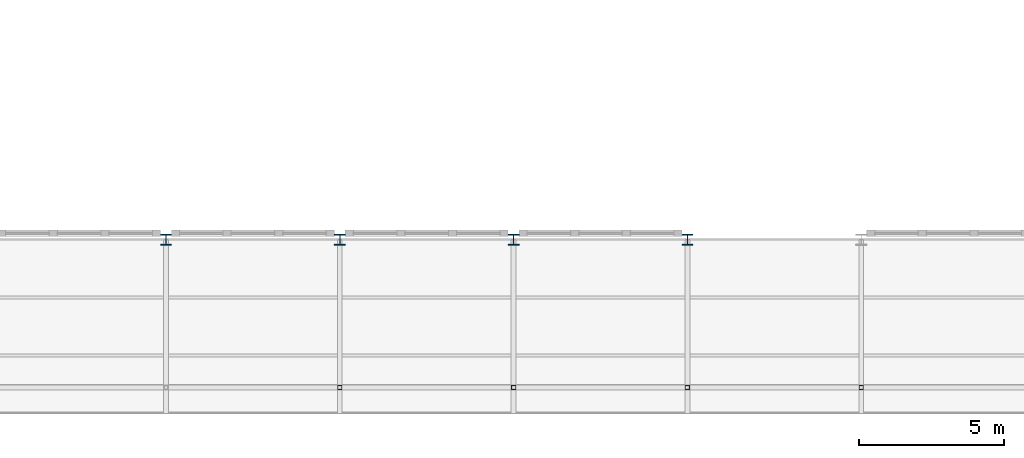
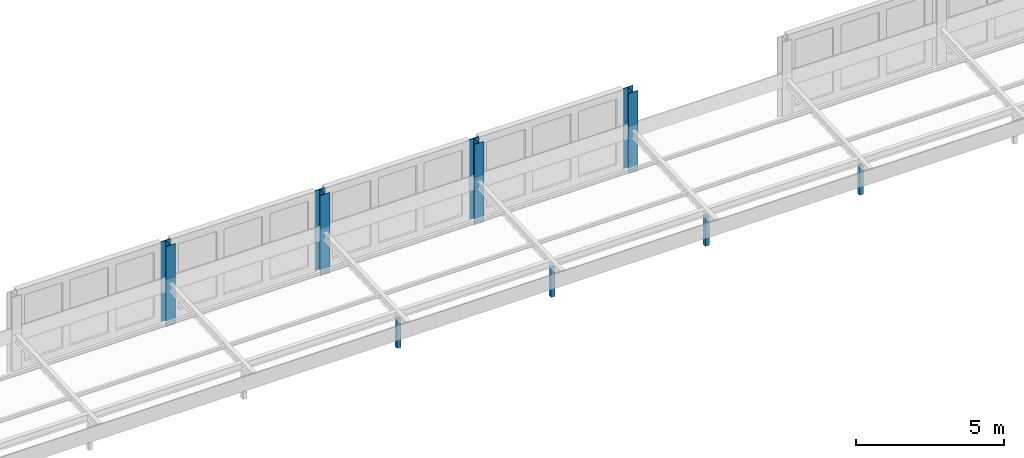
# One storey, part 2 of 214: 8 columns.
"""IFC4 building model written with IfcOpenShell, lengths in metres."""

from ifc_helpers import new_model, si_unit, direction, frame, origin, origin_2d, place, context, subcontext, project, spatial, hollow_rectangle, i_section, extrude, material, material_profile, profile_set, type_object, element, save


model = new_model("IFC4")

# Units and contexts
model_context = context("Model", 3, precision=1e-05, world=origin(), true_north=direction((0.0, 1.0)))
body_context = subcontext(model_context, "Body", "Model", "MODEL_VIEW")
ifc_project = project(units=[si_unit("LENGTHUNIT", "METRE"), si_unit("AREAUNIT", "SQUARE_METRE"), si_unit("VOLUMEUNIT", "CUBIC_METRE"), si_unit("PLANEANGLEUNIT", "RADIAN"), si_unit("MASSUNIT", "GRAM", prefix="KILO")], contexts=[model_context])

# Site, building, storey
site_placement = place(None, origin())
site = spatial("IfcSite", under=ifc_project, at=site_placement, CompositionType="ELEMENT")
building_placement = place(site_placement, origin())
building = spatial("IfcBuilding", under=site, at=building_placement, Name="Parallax Yard Mobility Hub", CompositionType="ELEMENT")
storey_placement = place(building_placement, frame((0.0, 0.0, 3.300048828125)))
storey = spatial("IfcBuildingStorey", under=building, at=storey_placement, Name="L01", CompositionType="ELEMENT", Elevation=3.300048828125)

# Columns
ifc_material_1 = material(Name="Steel ASTM A500 Gr C", Category="steel")
ifc_material_profile_1 = material_profile(ifc_material_1, hollow_rectangle(XDim=0.15234375, YDim=0.15234375, WallThickness=0.009521484375, at=origin_2d()), Name="HSS152x152x9.5")
ifc_profile_set_1 = profile_set([ifc_material_profile_1], Name="Steel ASTM A500 Gr C")
column_type_1 = type_object("IfcColumnType", Name="Roof column HSS152x152x9.5", PredefinedType="COLUMN", material=ifc_profile_set_1)
for number, where, z_axis, x_axis, name in (
    (1, (39.0, 2.39990234375, 0.0), (0.0, 0.0, 1.0), (1.0, 0.0, 0.0), "Arcade column V1 6 level L01"),
    (2, (45.0, 2.39990234375, 0.0), (0.0, 0.0, 1.0), (1.0, 0.0, 0.0), "Arcade column V1 7 level L01"),
    (3, (51.0, 2.39990234375, 0.0), (0.0, 0.0, 1.0), (1.0, 0.0, 0.0), "Arcade column V1 8 level L01"),
    (4, (57.0, 2.39990234375, 0.0), (0.0, 0.0, 1.0), (1.0, 0.0, 0.0), "Arcade column V1 9 level L01"),
):
    element("IfcColumn", number, at=place(storey_placement, frame(where, z_axis=z_axis, x_axis=x_axis)), inside=storey, type_object=column_type_1, Name=name, PredefinedType="COLUMN", context=body_context, shape_type="SweptSolid", body=[
        extrude(hollow_rectangle(XDim=0.15234375, YDim=0.15234375, WallThickness=0.009521484375, at=origin_2d()), origin(), (0.0, 0.0, 1.0), 1.199951171875),
    ])
ifc_material_2 = material(Name="Steel ASTM A992", Category="steel")
ifc_material_profile_2 = material_profile(ifc_material_2, i_section(OverallWidth=0.373046875, OverallDepth=0.367919921875, WebThickness=0.014892578125, FlangeThickness=0.02392578125, FilletRadius=0.01513671875, at=origin_2d()), Name="W360x179")
ifc_profile_set_2 = profile_set([ifc_material_profile_2], Name="Steel ASTM A992")
column_type_2 = type_object("IfcColumnType", Name="W360x179 column", PredefinedType="COLUMN", material=ifc_profile_set_2)
for number, where, z_axis, x_axis, name in (
    (5, (33.0, 7.5, 0.0), (0.0, 0.0, 1.0), (1.0, 0.0, 0.0), "Column C7 level L01 at F5/B of bus and taxi deck"),
    (6, (39.0, 7.5, 0.0), (0.0, 0.0, 1.0), (1.0, 0.0, 0.0), "Column C7 level L01 at F6/B of bus and taxi deck"),
    (7, (45.0, 7.5, 0.0), (0.0, 0.0, 1.0), (1.0, 0.0, 0.0), "Column C7 level L01 at F7/B of bus and taxi deck"),
    (8, (51.0, 7.5, 0.0), (0.0, 0.0, 1.0), (1.0, 0.0, 0.0), "Column C7 level L01 at F8/B of bus and taxi deck"),
):
    element("IfcColumn", number, at=place(storey_placement, frame(where, z_axis=z_axis, x_axis=x_axis)), inside=storey, type_object=column_type_2, Name=name, PredefinedType="COLUMN", context=body_context, shape_type="SweptSolid", body=[
        extrude(i_section(OverallWidth=0.373046875, OverallDepth=0.367919921875, WebThickness=0.014892578125, FlangeThickness=0.02392578125, FilletRadius=0.01513671875, at=origin_2d()), origin(), (0.0, 0.0, 1.0), 3.300048828125),
    ])

save(model, "model.ifc")
